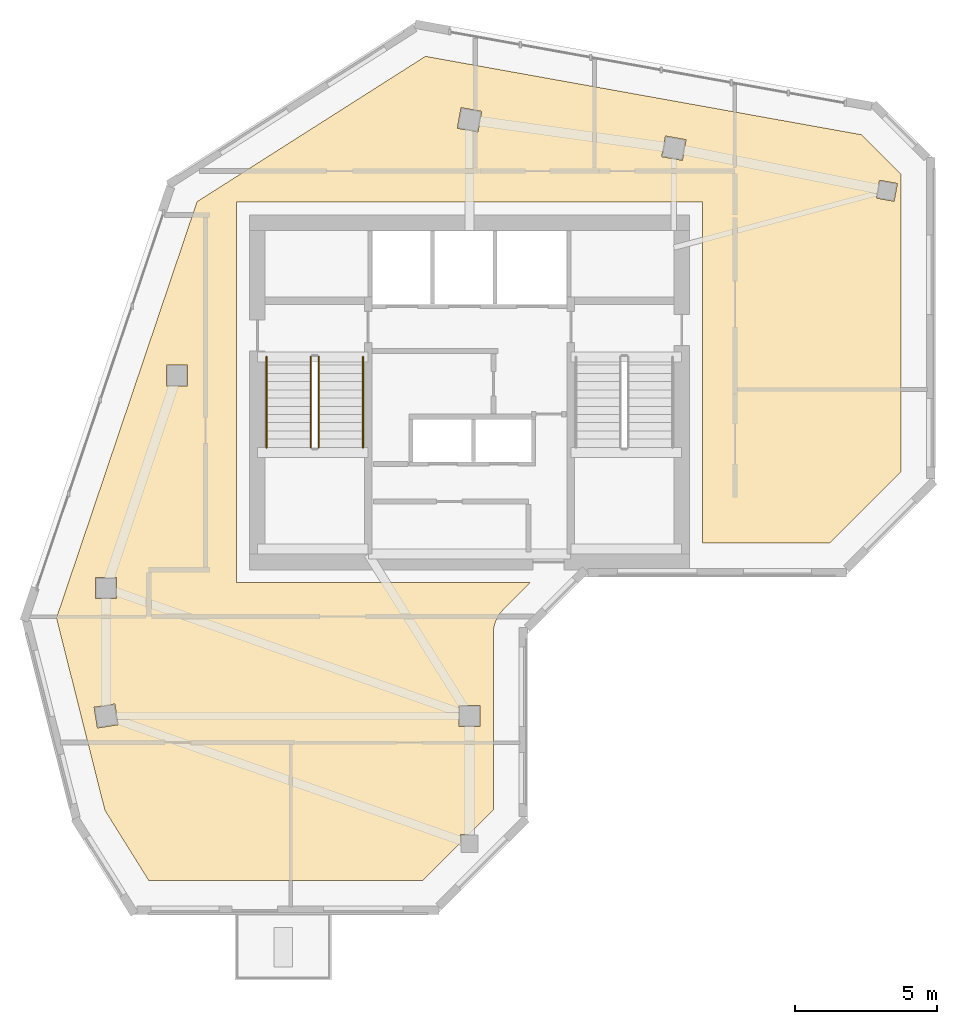
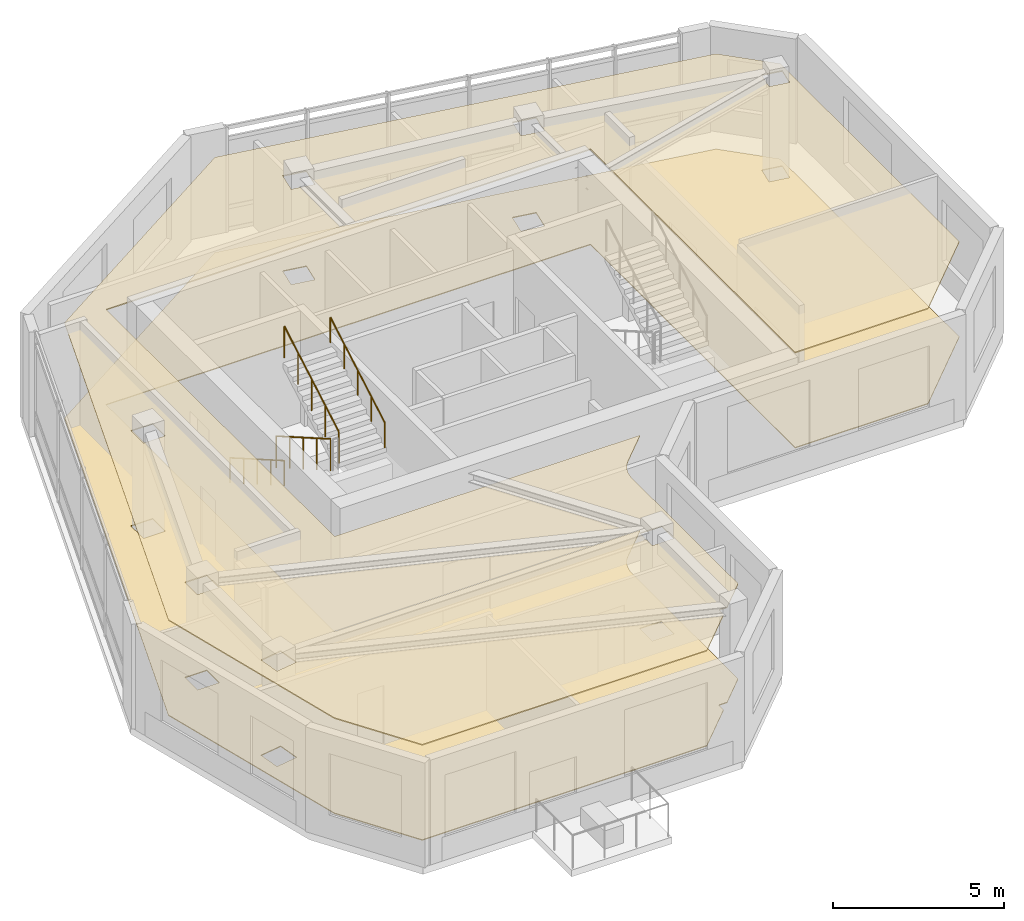
# One storey, part 7 of 8: 4 railings, 2 coverings.
"""IFC4 building model written with IfcOpenShell, lengths in metres."""

from ifc_helpers import new_model, si_unit, direction, frame, origin, origin_2d, place, context, subcontext, project, spatial, polyline, circle, outline, extrude, material, layer, layer_set, type_object, element, save


model = new_model("IFC4")

# Units and contexts
model_context = context("Model", 3, precision=1e-05, world=origin(), true_north=direction((0.0, 1.0)))
body_context = subcontext(model_context, "Body", "Model", "MODEL_VIEW")
ifc_project = project(units=[si_unit("LENGTHUNIT", "METRE"), si_unit("AREAUNIT", "SQUARE_METRE"), si_unit("VOLUMEUNIT", "CUBIC_METRE"), si_unit("PLANEANGLEUNIT", "RADIAN"), si_unit("MASSUNIT", "GRAM", prefix="KILO")], contexts=[model_context])

# Site, building, storey
site_placement = place(None, origin())
site = spatial("IfcSite", under=ifc_project, at=site_placement, CompositionType="ELEMENT")
building_placement = place(site_placement, origin())
building = spatial("IfcBuilding", under=site, at=building_placement, Name="Calvemar Wedge Station Tower", CompositionType="ELEMENT")
storey_placement = place(building_placement, frame((0.0, 0.0, 296.5)))
storey = spatial("IfcBuildingStorey", under=building, at=storey_placement, Name="L76", CompositionType="ELEMENT", Elevation=296.5)

# Coverings
ifc_material_1 = material(Name="Moisture-resistant gypsum ceiling")
ifc_layer_1 = layer(ifc_material_1, 0.0400390625)
ifc_layer_set_1 = layer_set([ifc_layer_1], Name="Moisture-resistant gypsum ceiling")
covering_type_1 = type_object("IfcCoveringType", Name="COV-CEIL-GYPSUM", PredefinedType="CEILING", material=ifc_layer_set_1)
covering_1_placement = place(storey_placement, frame((0.0, 0.0, 3.39990234375)))
element("IfcCovering", 1, at=covering_1_placement, inside=storey, type_object=covering_type_1, Name="Storey L76 Acoustic Suspended Ceiling", PredefinedType="CEILING", context=body_context, shape_type="SweptSolid", body=[
    extrude(outline(polyline([(32.0, 46.60009765625), (32.0, 34.60009765625), (36.5029296875, 34.60009765625), (39.0, 37.09716796875), (39.0, 47.5908203125), (37.617431640625, 48.973388671875), (22.248779296875, 51.736083984375), (14.201416015625, 46.614990234375), (9.25, 31.95068359375), (10.95751953125, 25.176025390625), (12.505126953125, 22.699951171875), (22.142822265625, 22.699951171875), (23.47998046875, 24.037109375), (23.47998046875, 24.320068359375), (23.762939453125, 24.320068359375), (24.639892578125, 25.197021484375), (24.639892578125, 31.39990234375), (24.645751953125, 31.517578125), (24.6630859375, 31.634033203125), (24.691650390625, 31.748291015625), (24.731201171875, 31.859130859375), (24.78173828125, 31.9658203125), (24.84228515625, 32.066650390625), (24.912353515625, 32.161376953125), (24.991455078125, 32.24853515625), (25.94287109375, 33.199951171875), (15.60009765625, 33.199951171875), (15.60009765625, 46.60009765625), (32.0, 46.60009765625)]), holes=[polyline([(10.6298828125, 32.6298828125), (10.6298828125, 33.3701171875), (11.3701171875, 33.3701171875), (11.3701171875, 32.6298828125), (10.6298828125, 32.6298828125)]), polyline([(13.1298828125, 40.8701171875), (13.8701171875, 40.8701171875), (13.8701171875, 40.1298828125), (13.1298828125, 40.1298828125), (13.1298828125, 40.8701171875)]), polyline([(24.229736328125, 49.798583984375), (24.0986328125, 49.0703125), (23.370361328125, 49.201416015625), (23.50146484375, 49.9296875), (24.229736328125, 49.798583984375)]), polyline([(31.298583984375, 48.0703125), (30.5703125, 48.201416015625), (30.701416015625, 48.9296875), (31.4296875, 48.798583984375), (31.298583984375, 48.0703125)]), polyline([(38.12841796875, 46.74169921875), (38.24169921875, 47.37158203125), (38.87158203125, 47.25830078125), (38.75830078125, 46.62841796875), (38.12841796875, 46.74169921875)]), polyline([(11.306884765625, 28.923828125), (11.423828125, 28.193115234375), (10.693115234375, 28.076171875), (10.576171875, 28.806884765625), (11.306884765625, 28.923828125)]), polyline([(24.169921875, 28.8701171875), (24.169921875, 28.1298828125), (23.429931640625, 28.1298828125), (23.429931640625, 28.8701171875), (24.169921875, 28.8701171875)])]), origin(), (0.0, 0.0, 1.0), 0.0400390625),
])
ifc_material_2 = material(Name="Honed coastal granite stone tile", Category="masonry")
ifc_layer_2 = layer(ifc_material_2, 0.030029296875)
ifc_layer_set_2 = layer_set([ifc_layer_2], Name="Honed coastal granite stone tile")
covering_type_2 = type_object("IfcCoveringType", Name="COV-FLR-STONE", PredefinedType="FLOORING", material=ifc_layer_set_2)
covering_2_placement = place(storey_placement, origin())
element("IfcCovering", 2, at=covering_2_placement, inside=storey, type_object=covering_type_2, Name="Storey L76 Architectural Floor Finish", PredefinedType="FLOORING", context=body_context, shape_type="SweptSolid", body=[
    extrude(outline(polyline([(32.0, 46.60009765625), (32.0, 34.60009765625), (36.5029296875, 34.60009765625), (39.0, 37.09716796875), (39.0, 47.5908203125), (37.617431640625, 48.973388671875), (22.248779296875, 51.736083984375), (14.201416015625, 46.614990234375), (9.25, 31.95068359375), (10.95751953125, 25.176025390625), (12.505126953125, 22.699951171875), (22.142822265625, 22.699951171875), (23.47998046875, 24.037109375), (23.47998046875, 24.320068359375), (23.762939453125, 24.320068359375), (24.639892578125, 25.197021484375), (24.639892578125, 31.39990234375), (24.645751953125, 31.517578125), (24.6630859375, 31.634033203125), (24.691650390625, 31.748291015625), (24.731201171875, 31.859130859375), (24.78173828125, 31.9658203125), (24.84228515625, 32.066650390625), (24.912353515625, 32.161376953125), (24.991455078125, 32.24853515625), (25.94287109375, 33.199951171875), (15.60009765625, 33.199951171875), (15.60009765625, 46.60009765625), (32.0, 46.60009765625)]), holes=[polyline([(10.6298828125, 32.6298828125), (10.6298828125, 33.3701171875), (11.3701171875, 33.3701171875), (11.3701171875, 32.6298828125), (10.6298828125, 32.6298828125)]), polyline([(13.1298828125, 40.8701171875), (13.8701171875, 40.8701171875), (13.8701171875, 40.1298828125), (13.1298828125, 40.1298828125), (13.1298828125, 40.8701171875)]), polyline([(24.229736328125, 49.798583984375), (24.0986328125, 49.0703125), (23.370361328125, 49.201416015625), (23.50146484375, 49.9296875), (24.229736328125, 49.798583984375)]), polyline([(31.298583984375, 48.0703125), (30.5703125, 48.201416015625), (30.701416015625, 48.9296875), (31.4296875, 48.798583984375), (31.298583984375, 48.0703125)]), polyline([(38.12841796875, 46.74169921875), (38.24169921875, 47.37158203125), (38.87158203125, 47.25830078125), (38.75830078125, 46.62841796875), (38.12841796875, 46.74169921875)]), polyline([(11.306884765625, 28.923828125), (11.423828125, 28.193115234375), (10.693115234375, 28.076171875), (10.576171875, 28.806884765625), (11.306884765625, 28.923828125)]), polyline([(24.169921875, 28.8701171875), (24.169921875, 28.1298828125), (23.429931640625, 28.1298828125), (23.429931640625, 28.8701171875), (24.169921875, 28.8701171875)])]), origin(), (0.0, 0.0, 1.0), 0.030029296875),
])

# Railings
ifc_material_3 = material(Name="Stainless steel AISI 316L", Category="steel")
railing_type_1 = type_object("IfcRailingType", Name="RL-HANDRAIL-920", PredefinedType="HANDRAIL", material=ifc_material_3)
railing_1_placement = place(storey_placement, frame((16.64990234375, 41.14990234375, 0.166748046875)))
element("IfcRailing", 3, at=railing_1_placement, inside=storey, type_object=railing_type_1, Name="L76 ST-C1 stair handrail 1", PredefinedType="HANDRAIL", context=body_context, shape_type="SweptSolid", body=[
    extrude(circle(Radius=0.02392578125, at=origin_2d()), frame((0.0, 0.0, 0.89599609375), z_axis=(0.0, -0.867019545617, 0.498274128887), x_axis=(1.0, 0.0, 0.0)), (0.0, 0.0, 1.0), 3.67919921875),
    extrude(circle(Radius=0.02099609375, at=origin_2d()), origin(), (0.0, 0.0, 1.0), 0.871826171875),
    extrude(circle(Radius=0.02099609375, at=origin_2d()), frame((0.0, -0.79736328125, 0.458251953125)), (0.0, 0.0, 1.0), 0.871826171875),
    extrude(circle(Radius=0.02099609375, at=origin_2d()), frame((0.0, -1.594970703125, 0.91650390625)), (0.0, 0.0, 1.0), 0.871826171875),
    extrude(circle(Radius=0.02099609375, at=origin_2d()), frame((0.0, -2.392578125, 1.375)), (0.0, 0.0, 1.0), 0.871826171875),
    extrude(circle(Radius=0.02099609375, at=origin_2d()), frame((0.0, -3.18994140625, 1.833251953125)), (0.0, 0.0, 1.0), 0.871826171875),
])
railing_2_placement = place(storey_placement, frame((20.050048828125, 37.9599609375, 2.166748046875)))
element("IfcRailing", 4, at=railing_2_placement, inside=storey, type_object=railing_type_1, Name="L76 ST-C1 stair handrail 2", PredefinedType="HANDRAIL", context=body_context, shape_type="SweptSolid", body=[
    extrude(circle(Radius=0.02392578125, at=origin_2d()), frame((0.0, 0.0, 0.89599609375), z_axis=(0.0, 0.867019545617, 0.498274128887), x_axis=(-1.0, 0.0, 0.0)), (0.0, 0.0, 1.0), 3.67919921875),
    extrude(circle(Radius=0.02099609375, at=origin_2d()), origin(), (0.0, 0.0, 1.0), 0.871826171875),
    extrude(circle(Radius=0.02099609375, at=origin_2d()), frame((0.0, 0.79736328125, 0.458251953125)), (0.0, 0.0, 1.0), 0.871826171875),
    extrude(circle(Radius=0.02099609375, at=origin_2d()), frame((0.0, 1.594970703125, 0.91650390625)), (0.0, 0.0, 1.0), 0.871826171875),
    extrude(circle(Radius=0.02099609375, at=origin_2d()), frame((0.0, 2.392578125, 1.375)), (0.0, 0.0, 1.0), 0.871826171875),
    extrude(circle(Radius=0.02099609375, at=origin_2d()), frame((0.0, 3.18994140625, 1.833251953125)), (0.0, 0.0, 1.0), 0.871826171875),
])
ifc_material_4 = material(Name="Painted steel guardrail ASTM A500 Grade C", Category="steel")
railing_type_2 = type_object("IfcRailingType", Name="RL-STAIR-GUARD-1150", PredefinedType="GUARDRAIL", material=ifc_material_4)
railing_3_placement = place(storey_placement, frame((18.2099609375, 41.14990234375, 0.166748046875)))
element("IfcRailing", 5, at=railing_3_placement, inside=storey, type_object=railing_type_2, Name="L76 ST-C1 stair guard 1", PredefinedType="GUARDRAIL", context=body_context, shape_type="SweptSolid", body=[
    extrude(circle(Radius=0.02392578125, at=origin_2d()), frame((0.0, 0.0, 1.1259765625), z_axis=(0.0, -0.867019545617, 0.498274128887), x_axis=(1.0, 0.0, 0.0)), (0.0, 0.0, 1.0), 3.67919921875),
    extrude(circle(Radius=0.02099609375, at=origin_2d()), origin(), (0.0, 0.0, 1.0), 1.101806640625),
    extrude(circle(Radius=0.02099609375, at=origin_2d()), frame((0.0, -0.79736328125, 0.458251953125)), (0.0, 0.0, 1.0), 1.101806640625),
    extrude(circle(Radius=0.02099609375, at=origin_2d()), frame((0.0, -1.594970703125, 0.91650390625)), (0.0, 0.0, 1.0), 1.101806640625),
    extrude(circle(Radius=0.02099609375, at=origin_2d()), frame((0.0, -2.392578125, 1.375)), (0.0, 0.0, 1.0), 1.101806640625),
    extrude(circle(Radius=0.02099609375, at=origin_2d()), frame((0.0, -3.18994140625, 1.833251953125)), (0.0, 0.0, 1.0), 1.101806640625),
])
railing_4_placement = place(storey_placement, frame((18.489990234375, 37.9599609375, 2.166748046875)))
element("IfcRailing", 6, at=railing_4_placement, inside=storey, type_object=railing_type_2, Name="L76 ST-C1 stair guard 3", PredefinedType="GUARDRAIL", context=body_context, shape_type="SweptSolid", body=[
    extrude(circle(Radius=0.02392578125, at=origin_2d()), frame((0.0, 0.0, 1.1259765625), z_axis=(0.0, 0.867019545617, 0.498274128887), x_axis=(-1.0, 0.0, 0.0)), (0.0, 0.0, 1.0), 3.67919921875),
    extrude(circle(Radius=0.02099609375, at=origin_2d()), origin(), (0.0, 0.0, 1.0), 1.101806640625),
    extrude(circle(Radius=0.02099609375, at=origin_2d()), frame((0.0, 0.79736328125, 0.458251953125)), (0.0, 0.0, 1.0), 1.101806640625),
    extrude(circle(Radius=0.02099609375, at=origin_2d()), frame((0.0, 1.594970703125, 0.91650390625)), (0.0, 0.0, 1.0), 1.101806640625),
    extrude(circle(Radius=0.02099609375, at=origin_2d()), frame((0.0, 2.392578125, 1.375)), (0.0, 0.0, 1.0), 1.101806640625),
    extrude(circle(Radius=0.02099609375, at=origin_2d()), frame((0.0, 3.18994140625, 1.833251953125)), (0.0, 0.0, 1.0), 1.101806640625),
])

save(model, "model.ifc")
